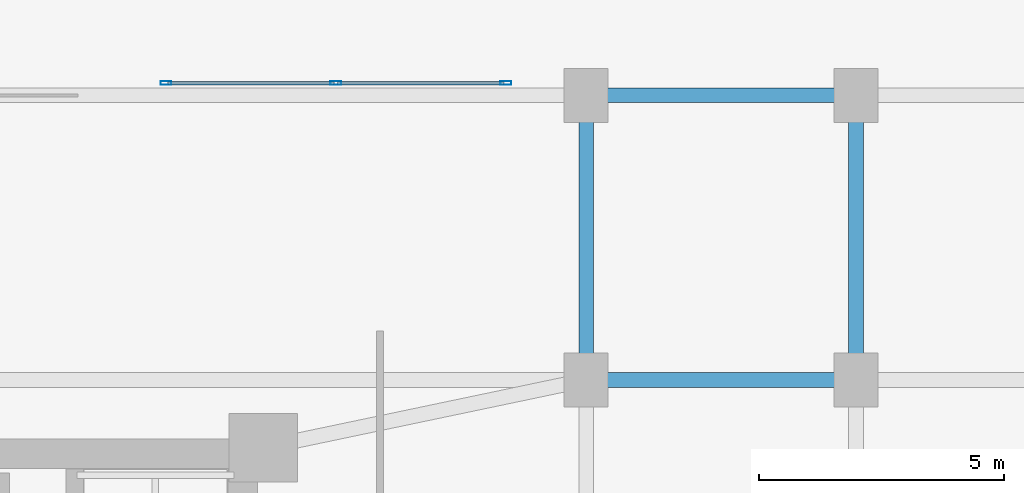
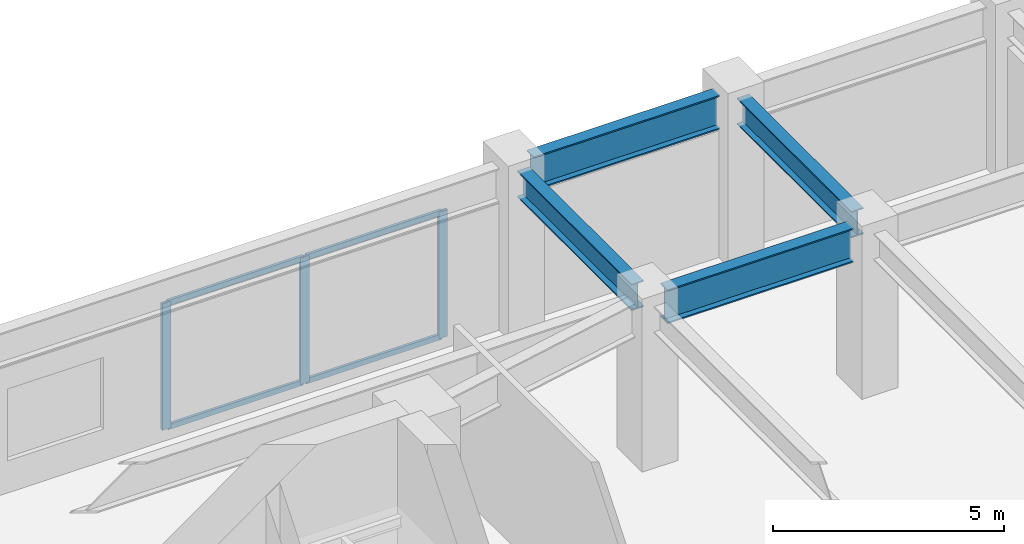
# One storey, part 4 of 10: 7 members, 4 beams, 1 element without a shape of its own.
"""IFC4 building model written with IfcOpenShell, lengths in metres."""

from ifc_helpers import new_model, si_unit, direction, frame, origin, origin_2d, place, context, subcontext, project, spatial, hollow_rectangle, i_section, extrude, material, layer, layer_set, material_profile, profile_set, type_object, element, aggregate, save


model = new_model("IFC4")

# Units and contexts
model_context = context("Model", 3, precision=1e-05, world=origin(), true_north=direction((0.0, 1.0)))
body_context = subcontext(model_context, "Body", "Model", "MODEL_VIEW")
ifc_project = project(units=[si_unit("LENGTHUNIT", "METRE"), si_unit("AREAUNIT", "SQUARE_METRE"), si_unit("VOLUMEUNIT", "CUBIC_METRE"), si_unit("PLANEANGLEUNIT", "RADIAN"), si_unit("MASSUNIT", "GRAM", prefix="KILO")], contexts=[model_context])

# Site, building, storey
site_placement = place(None, origin())
site = spatial("IfcSite", under=ifc_project, at=site_placement, CompositionType="ELEMENT")
building_placement = place(site_placement, origin())
building = spatial("IfcBuilding", under=site, at=building_placement, Name="Varnakorn Sky Granary", CompositionType="ELEMENT")
storey_placement = place(building_placement, frame((0.0, 0.0, 13.800048828125)))
storey = spatial("IfcBuildingStorey", under=building, at=storey_placement, Name="L03", CompositionType="ELEMENT", Elevation=13.800048828125)

# Beams
ifc_material_1 = material(Name="Steel S355JR", Category="steel")
ifc_material_profile_1 = material_profile(ifc_material_1, i_section(OverallWidth=0.300048828125, OverallDepth=0.699951171875, WebThickness=0.01708984375, FlangeThickness=0.031982421875, at=origin_2d()), Name="HE 700 B")
ifc_profile_set_1 = profile_set([ifc_material_profile_1], Name="Steel S355JR")
beam_type_1 = type_object("IfcBeamType", Name="BM-PG-700", PredefinedType="T_BEAM", material=ifc_profile_set_1)
for number, where, z_axis, x_axis, name in (
    (1, (15.0, 14.419921875, 3.929931640625), (0.0, 1.0, 0.0), (-1.0, 0.0, 0.0), "Podium Y-Girder GY25 L03"),
    (2, (20.5, 14.419921875, 3.929931640625), (0.0, 1.0, 0.0), (-1.0, 0.0, 0.0), "Podium Y-Girder GY28 L03"),
):
    element("IfcBeam", number, at=place(storey_placement, frame(where, z_axis=z_axis, x_axis=x_axis)), inside=storey, type_object=beam_type_1, Name=name, PredefinedType="T_BEAM", context=body_context, shape_type="SweptSolid", body=[
        extrude(i_section(OverallWidth=0.300048828125, OverallDepth=0.699951171875, WebThickness=0.01708984375, FlangeThickness=0.031982421875, at=origin_2d()), origin(), (0.0, 0.0, 1.0), 4.9599609375),
    ])
ifc_material_profile_2 = material_profile(ifc_material_1, i_section(OverallWidth=0.300048828125, OverallDepth=0.89990234375, WebThickness=0.0185546875, FlangeThickness=0.034912109375, at=origin_2d()), Name="HE 900 B")
ifc_profile_set_2 = profile_set([ifc_material_profile_2], Name="Steel S355JR")
beam_type_2 = type_object("IfcBeamType", Name="BM-PG-900", PredefinedType="BEAM", material=ifc_profile_set_2)
for number, where, z_axis, x_axis, name in (
    (3, (15.419921875, 14.0, 3.829833984375), (1.0, 0.0, 0.0), (0.0, 1.0, 0.0), "Podium X-Girder GX11 L03"),
    (4, (15.419921875, 19.800048828125, 3.829833984375), (1.0, 0.0, 0.0), (0.0, 1.0, 0.0), "Podium X-Girder GX16 L03"),
):
    element("IfcBeam", number, at=place(storey_placement, frame(where, z_axis=z_axis, x_axis=x_axis)), inside=storey, type_object=beam_type_2, Name=name, PredefinedType="BEAM", context=body_context, shape_type="SweptSolid", body=[
        extrude(i_section(OverallWidth=0.300048828125, OverallDepth=0.89990234375, WebThickness=0.0185546875, FlangeThickness=0.034912109375, at=origin_2d()), origin(), (0.0, 0.0, 1.0), 4.66015625),
    ])

# Curtain wall, members
ifc_material_2 = material(Name="Anodised Bronze Aluminium Alloy 6063-T6", Category="aluminium")
ifc_layer = layer(ifc_material_2, 0.2099609375, Name="Anodised Bronze Aluminium Alloy 6063-T6")
ifc_layer_set = layer_set([ifc_layer], Name="Anodised Bronze Aluminium Alloy 6063-T6")
curtain_wall_type = type_object("IfcCurtainWallType", Name="CW-POD-2", PredefinedType="USERDEFINED", material=ifc_layer_set)
curtain_wall_placement = place(storey_placement, origin())
curtain_wall = element("IfcCurtainWall", 5, at=curtain_wall_placement, inside=storey, type_object=curtain_wall_type, Name="Unitised Curtain Wall CW2 CW-L03-P2", ObjectType="CURTAIN WALL", PredefinedType="USERDEFINED")
ifc_material_profile_3 = material_profile(ifc_material_2, hollow_rectangle(XDim=0.074951171875, YDim=0.219970703125, WallThickness=0.00390625, at=origin_2d()), Name="ALU MULL 75x220")
ifc_profile_set_3 = profile_set([ifc_material_profile_3], Name="Anodised Bronze Aluminium Alloy 6063-T6")
member_type_1 = type_object("IfcMemberType", Name="CW-POD-2-MULL", PredefinedType="MULLION", material=ifc_profile_set_3)
member_1_placement = place(storey_placement, frame((6.4375, 20.050048828125, 0.0), z_axis=(0.0, 0.0, 1.0), x_axis=(0.0, 1.0, 0.0)))
member_1 = element("IfcMember", 6, at=member_1_placement, type_object=member_type_1, Name="CW2 mullion 1", PredefinedType="MULLION", context=body_context, shape_type="SweptSolid", body=[
    extrude(hollow_rectangle(XDim=0.074951171875, YDim=0.219970703125, WallThickness=0.00390625, at=origin_2d()), origin(), (0.0, 0.0, 1.0), 3.349853515625),
])
member_2_placement = place(storey_placement, frame((9.89990234375, 20.050048828125, 0.0), z_axis=(0.0, 0.0, 1.0), x_axis=(0.0, 1.0, 0.0)))
member_2 = element("IfcMember", 7, at=member_2_placement, type_object=member_type_1, Name="CW2 mullion 2", PredefinedType="MULLION", context=body_context, shape_type="SweptSolid", body=[
    extrude(hollow_rectangle(XDim=0.074951171875, YDim=0.219970703125, WallThickness=0.00390625, at=origin_2d()), origin(), (0.0, 0.0, 1.0), 3.349853515625),
])
member_3_placement = place(storey_placement, frame((13.362548828125, 20.050048828125, 0.0), z_axis=(0.0, 0.0, 1.0), x_axis=(0.0, 1.0, 0.0)))
member_3 = element("IfcMember", 8, at=member_3_placement, type_object=member_type_1, Name="CW2 mullion 3", PredefinedType="MULLION", context=body_context, shape_type="SweptSolid", body=[
    extrude(hollow_rectangle(XDim=0.074951171875, YDim=0.219970703125, WallThickness=0.00390625, at=origin_2d()), origin(), (0.0, 0.0, 1.0), 3.349853515625),
])
ifc_material_profile_4 = material_profile(ifc_material_2, hollow_rectangle(XDim=0.070068359375, YDim=0.139892578125, WallThickness=0.00341796875, at=origin_2d()), Name="ALU TRAN 70x140")
ifc_profile_set_4 = profile_set([ifc_material_profile_4], Name="Anodised Bronze Aluminium Alloy 6063-T6")
member_type_2 = type_object("IfcMemberType", Name="CW-POD-2-TRAN", PredefinedType="USERDEFINED", material=ifc_profile_set_4)
member_4_placement = place(storey_placement, frame((6.47509765625, 20.050048828125, 0.034912109375), z_axis=(1.0, 0.0, 0.0), x_axis=(0.0, 1.0, 0.0)))
member_4 = element("IfcMember", 9, at=member_4_placement, type_object=member_type_2, Name="CW2 transom 1.1", ObjectType="TRANSOM", PredefinedType="USERDEFINED", context=body_context, shape_type="SweptSolid", body=[
    extrude(hollow_rectangle(XDim=0.070068359375, YDim=0.139892578125, WallThickness=0.00341796875, at=origin_2d()), origin(), (0.0, 0.0, 1.0), 3.387451171875),
])
member_5_placement = place(storey_placement, frame((6.47509765625, 20.050048828125, 3.31494140625), z_axis=(1.0, 0.0, 0.0), x_axis=(0.0, 1.0, 0.0)))
member_5 = element("IfcMember", 10, at=member_5_placement, type_object=member_type_2, Name="CW2 transom 1.2", ObjectType="TRANSOM", PredefinedType="USERDEFINED", context=body_context, shape_type="SweptSolid", body=[
    extrude(hollow_rectangle(XDim=0.070068359375, YDim=0.139892578125, WallThickness=0.00341796875, at=origin_2d()), origin(), (0.0, 0.0, 1.0), 3.387451171875),
])
member_6_placement = place(storey_placement, frame((9.9375, 20.050048828125, 0.034912109375), z_axis=(1.0, 0.0, 0.0), x_axis=(0.0, 1.0, 0.0)))
member_6 = element("IfcMember", 11, at=member_6_placement, type_object=member_type_2, Name="CW2 transom 2.1", ObjectType="TRANSOM", PredefinedType="USERDEFINED", context=body_context, shape_type="SweptSolid", body=[
    extrude(hollow_rectangle(XDim=0.070068359375, YDim=0.139892578125, WallThickness=0.00341796875, at=origin_2d()), origin(), (0.0, 0.0, 1.0), 3.387451171875),
])
member_7_placement = place(storey_placement, frame((9.9375, 20.050048828125, 3.31494140625), z_axis=(1.0, 0.0, 0.0), x_axis=(0.0, 1.0, 0.0)))
member_7 = element("IfcMember", 12, at=member_7_placement, type_object=member_type_2, Name="CW2 transom 2.2", ObjectType="TRANSOM", PredefinedType="USERDEFINED", context=body_context, shape_type="SweptSolid", body=[
    extrude(hollow_rectangle(XDim=0.070068359375, YDim=0.139892578125, WallThickness=0.00341796875, at=origin_2d()), origin(), (0.0, 0.0, 1.0), 3.387451171875),
])
aggregate(curtain_wall, [member_1, member_2, member_3, member_4, member_5, member_6, member_7])

save(model, "model.ifc")
